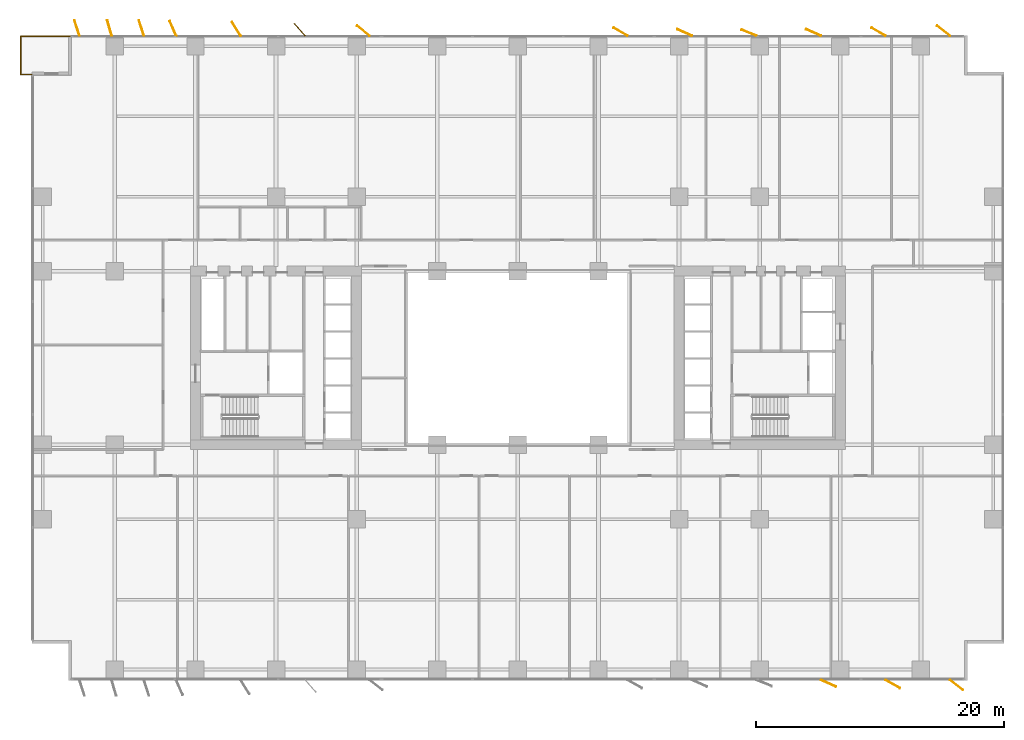
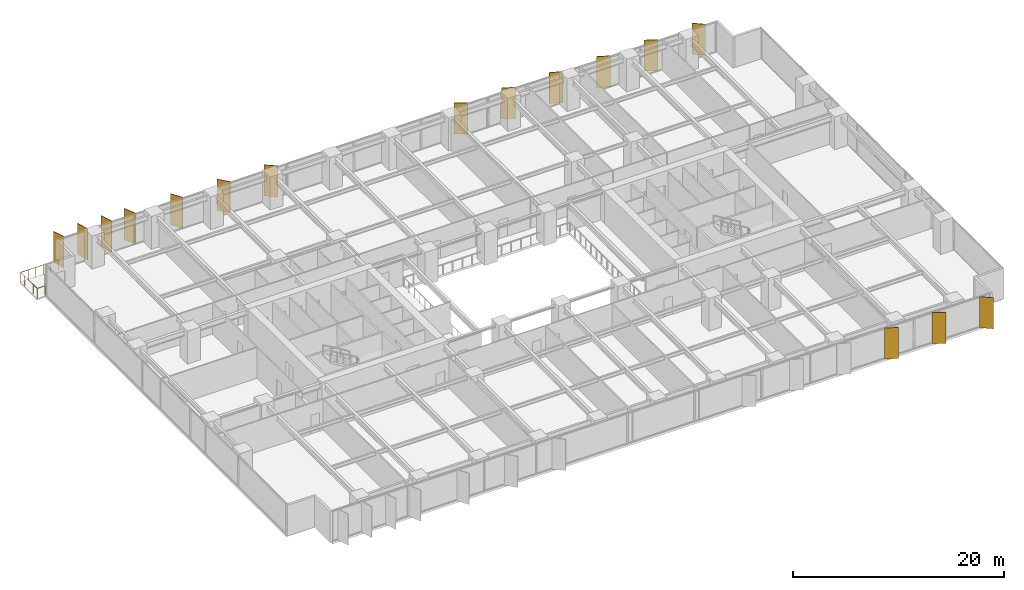
# One storey, part 20 of 20: 16 shading devices, 1 railing.
"""IFC4 building model written with IfcOpenShell, lengths in metres."""

from ifc_helpers import new_model, si_unit, direction, frame, origin, origin_2d, place, context, subcontext, project, spatial, rectangle, circle, extrude, material, layer, layer_set, type_object, element, save


model = new_model("IFC4")

# Units and contexts
model_context = context("Model", 3, precision=1e-05, world=origin(), true_north=direction((0.0, 1.0)))
body_context = subcontext(model_context, "Body", "Model", "MODEL_VIEW")
ifc_project = project(units=[si_unit("LENGTHUNIT", "METRE"), si_unit("AREAUNIT", "SQUARE_METRE"), si_unit("VOLUMEUNIT", "CUBIC_METRE"), si_unit("PLANEANGLEUNIT", "RADIAN"), si_unit("MASSUNIT", "GRAM", prefix="KILO")], contexts=[model_context])

# Site, building, storey
site_placement = place(None, origin())
site = spatial("IfcSite", under=ifc_project, at=site_placement, CompositionType="ELEMENT")
building_placement = place(site_placement, origin())
building = spatial("IfcBuilding", under=site, at=building_placement, Name="Putna Gate Headquarters", CompositionType="ELEMENT")
storey_placement = place(building_placement, frame((0.0, 0.0, 73.39990234375)))
storey = spatial("IfcBuildingStorey", under=building, at=storey_placement, Name="L17", CompositionType="ELEMENT", Elevation=73.39990234375)

# Railing
ifc_material_1 = material(Name="Anodised bronze steel and laminated glass guardrail", Category="steel")
railing_type = type_object("IfcRailingType", Name="RAIL-TERR-GUARD-1150", PredefinedType="GUARDRAIL", material=ifc_material_1)
railing_placement = place(storey_placement, frame((-0.199951171875, 48.860107421875, 0.0)))
element("IfcRailing", 1, at=railing_placement, inside=storey, type_object=railing_type, Name="L17 Spiral Sky Terrace Guardrail NW", PredefinedType="GUARDRAIL", context=body_context, shape_type="SweptSolid", body=[
    extrude(circle(Radius=0.02392578125, at=origin_2d()), frame((0.0, 0.0, 1.1259765625), z_axis=(-1.0, 0.0, 0.0), x_axis=(0.0, -1.0, 0.0)), (0.0, 0.0, 1.0), 0.89013671875),
    extrude(circle(Radius=0.02392578125, at=origin_2d()), frame((-0.89013671875, 0.0, 1.1259765625), z_axis=(0.0, 1.0, 0.0), x_axis=(-1.0, 0.0, 0.0)), (0.0, 0.0, 1.0), 3.079833984375),
    extrude(circle(Radius=0.02392578125, at=origin_2d()), frame((-0.89013671875, 3.079833984375, 1.1259765625), z_axis=(1.0, 0.0, 0.0), x_axis=(0.0, 1.0, 0.0)), (0.0, 0.0, 1.0), 4.090087890625),
    extrude(circle(Radius=0.02099609375, at=origin_2d()), origin(), (0.0, 0.0, 1.0), 1.101806640625),
    extrude(circle(Radius=0.02099609375, at=origin_2d()), frame((-0.89013671875, 0.0, 0.0)), (0.0, 0.0, 1.0), 1.101806640625),
    extrude(circle(Radius=0.02099609375, at=origin_2d()), frame((-0.89013671875, 0.77001953125, 0.0)), (0.0, 0.0, 1.0), 1.101806640625),
    extrude(circle(Radius=0.02099609375, at=origin_2d()), frame((-0.89013671875, 1.5400390625, 0.0)), (0.0, 0.0, 1.0), 1.101806640625),
    extrude(circle(Radius=0.02099609375, at=origin_2d()), frame((-0.89013671875, 2.309814453125, 0.0)), (0.0, 0.0, 1.0), 1.101806640625),
    extrude(circle(Radius=0.02099609375, at=origin_2d()), frame((-0.89013671875, 3.079833984375, 0.0)), (0.0, 0.0, 1.0), 1.101806640625),
    extrude(circle(Radius=0.02099609375, at=origin_2d()), frame((-0.072021484375, 3.079833984375, 0.0)), (0.0, 0.0, 1.0), 1.101806640625),
    extrude(circle(Radius=0.02099609375, at=origin_2d()), frame((0.745849609375, 3.079833984375, 0.0)), (0.0, 0.0, 1.0), 1.101806640625),
    extrude(circle(Radius=0.02099609375, at=origin_2d()), frame((1.56396484375, 3.079833984375, 0.0)), (0.0, 0.0, 1.0), 1.101806640625),
    extrude(circle(Radius=0.02099609375, at=origin_2d()), frame((2.3818359375, 3.079833984375, 0.0)), (0.0, 0.0, 1.0), 1.101806640625),
    extrude(circle(Radius=0.02099609375, at=origin_2d()), frame((3.199951171875, 3.079833984375, 0.0)), (0.0, 0.0, 1.0), 1.101806640625),
])

# Shading devices
ifc_material_2 = material(Name="Anodised architectural bronze aluminium fin", Category="aluminium")
ifc_layer = layer(ifc_material_2, 0.06494140625)
ifc_layer_set = layer_set([ifc_layer], Name="Anodised architectural bronze aluminium fin")
shading_device_type = type_object("IfcShadingDeviceType", Name="SHADE-BRONZE-FIN-1320", PredefinedType="USERDEFINED", material=ifc_layer_set)
for number, where, z_axis, x_axis, name in (
    (2, (3.4462890625, 52.602783203125, -0.02001953125), (0.0, 0.0, 1.0), (-0.308684994204, 0.951164325631, 0.0), "L17 Bronze Vertical Shading Fin N1"),
    (3, (6.068115234375, 52.609375, -0.02001953125), (0.0, 0.0, 1.0), (-0.275637355817, 0.961261695938, 0.0), "L17 Bronze Vertical Shading Fin N2"),
    (4, (8.646240234375, 52.602783203125, -0.02001953125), (0.0, 0.0, 1.0), (-0.308684994204, 0.951164325631, 0.0), "L17 Bronze Vertical Shading Fin N3"),
    (5, (11.185546875, 52.57958984375, -0.02001953125), (0.0, 0.0, 1.0), (-0.400668879095, 0.916222925562, 0.0), "L17 Bronze Vertical Shading Fin N4"),
    (6, (16.2998046875, 52.534423828125, -0.02001953125), (0.0, 0.0, 1.0), (-0.530659123936, 0.847585331506, 0.0), "L17 Bronze Vertical Shading Fin N5"),
    (7, (21.408447265625, 52.465576171875, -0.02001953125), (0.0, 0.0, 1.0), (-0.669130606359, 0.743144825477, 0.0), "L17 Bronze Vertical Shading Fin N6"),
    (8, (26.5302734375, 52.3818359375, -0.02001953125), (0.0, 0.0, 1.0), (-0.787473187632, 0.616348909921, 0.0), "L17 Bronze Vertical Shading Fin N7"),
    (9, (47.276123046875, 52.30126953125, -0.02001953125), (0.0, 0.0, 1.0), (-0.869322458298, 0.494245347472, 0.0), "L17 Bronze Vertical Shading Fin N8"),
    (10, (52.447021484375, 52.2431640625, -0.02001953125), (0.0, 0.0, 1.0), (-0.913687379856, 0.40641773078, 0.0), "L17 Bronze Vertical Shading Fin N9"),
    (11, (57.63818359375, 52.22216796875, -0.02001953125), (0.0, 0.0, 1.0), (-0.927183854567, 0.374606593416, 0.0), "L17 Bronze Vertical Shading Fin N10"),
    (12, (64.052978515625, -0.2431640625, -0.02001953125), (0.0, 0.0, 1.0), (0.913687379856, -0.40641773078, 0.0), "L17 Bronze Vertical Shading Fin S11"),
    (13, (62.846923828125, 52.2431640625, -0.02001953125), (0.0, 0.0, 1.0), (-0.913687379856, 0.40641773078, 0.0), "L17 Bronze Vertical Shading Fin N11"),
    (14, (69.223876953125, -0.30126953125, -0.02001953125), (0.0, 0.0, 1.0), (0.869322458298, -0.494245347472, 0.0), "L17 Bronze Vertical Shading Fin S12"),
    (15, (68.076171875, 52.30126953125, -0.02001953125), (0.0, 0.0, 1.0), (-0.869322458298, 0.494245347472, 0.0), "L17 Bronze Vertical Shading Fin N12"),
    (16, (74.36962890625, -0.3818359375, -0.02001953125), (0.0, 0.0, 1.0), (0.787473187632, -0.616348909921, 0.0), "L17 Bronze Vertical Shading Fin S13"),
    (17, (73.330322265625, 52.3818359375, -0.02001953125), (0.0, 0.0, 1.0), (-0.787473187632, 0.616348909921, 0.0), "L17 Bronze Vertical Shading Fin N13"),
):
    element("IfcShadingDevice", number, at=place(storey_placement, frame(where, z_axis=z_axis, x_axis=x_axis)), inside=storey, type_object=shading_device_type, Name=name, ObjectType="FIN", PredefinedType="USERDEFINED", context=body_context, shape_type="SweptSolid", body=[
        extrude(rectangle(XDim=1.320068359375, YDim=0.06494140625, at=origin_2d()), origin(), (0.0, 0.0, 1.0), 3.590087890625),
    ])

save(model, "model.ifc")
